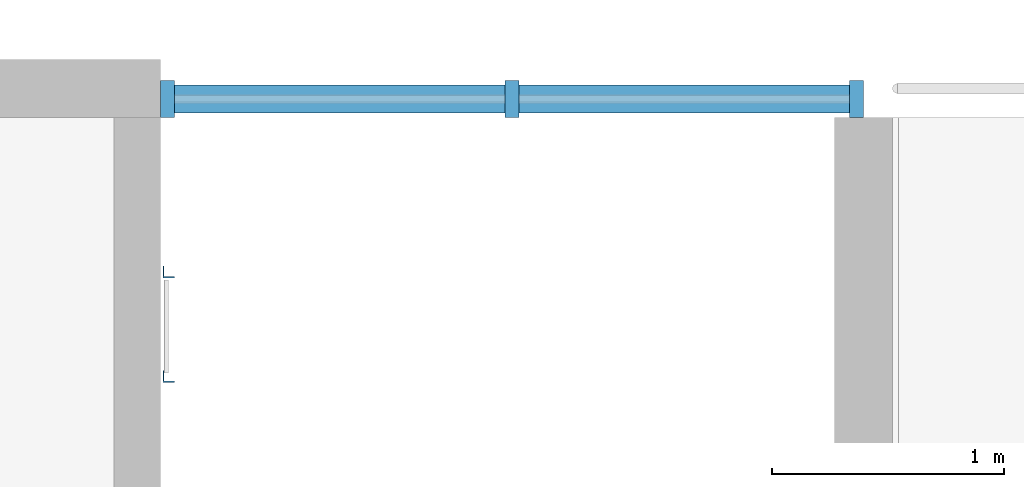
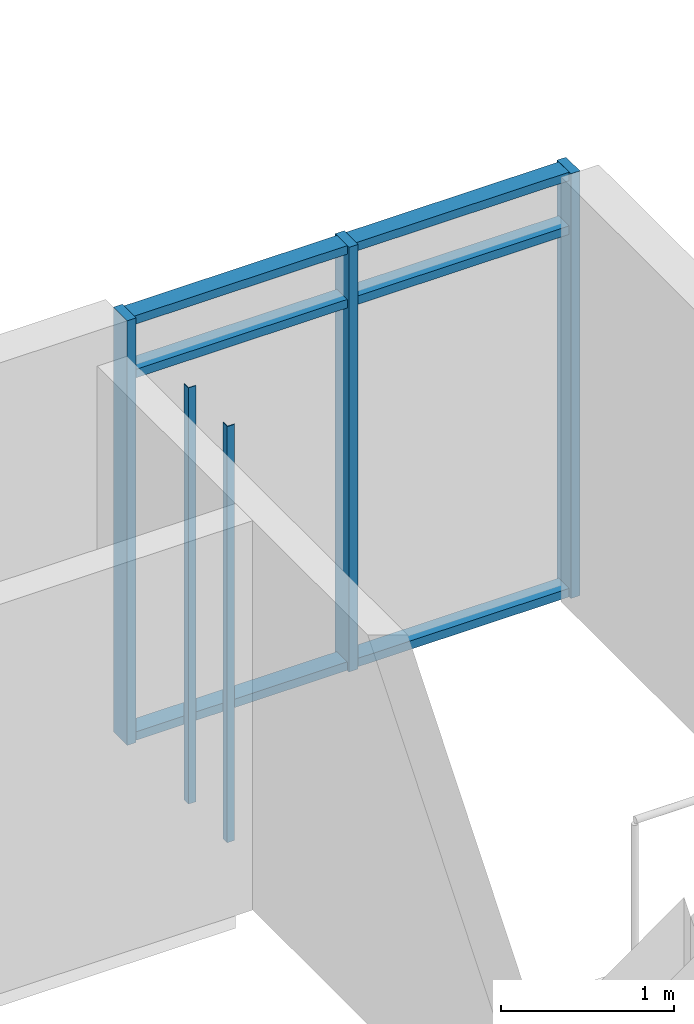
# One storey, part 14 of 87: 11 members, 1 element without a shape of its own.
"""IFC4 building model written with IfcOpenShell, lengths in metres."""

import ifcopenshell
import ifcopenshell.guid

model = None  # the IFC model being written
_history = None  # IfcOwnerHistory: only IFC2X3 demands one
_inside = {}  # id of a spatial element -> (the spatial element, [elements in it])
_under = {}  # id of a project, library or spatial element -> (it, [spatial elements below it])
_declared = {}  # id of a project -> (the project, [libraries it declares])
_typed = {}  # id of a type object -> (the type object, [elements of that type])
_made_of = {}  # id of a material, layer set ... -> (it, [elements and type objects made of it])


def new_model(schema):
    """Start an empty IFC model of exactly this schema.

    Asked for "IFC4X3", IfcOpenShell would pick the latest addendum, in which some entities
    have other attributes; the version numbers below select the first issue.
    IFC2X3 requires an IfcOwnerHistory on every rooted entity: one is made here for all.
    """
    global model, _history
    if schema == "IFC4X3":
        model = ifcopenshell.file(schema_version=(4, 3, 0, 0))
    else:
        model = ifcopenshell.file(schema=schema)
    _inside.clear()
    _under.clear()
    _declared.clear()
    _typed.clear()
    _made_of.clear()
    _history = None
    if model.schema == "IFC2X3":
        org = make("IfcOrganization", Name="unknown")
        user = make(
            "IfcPersonAndOrganization",
            ThePerson=make("IfcPerson", FamilyName="unknown"),
            TheOrganization=org,
        )
        app = make(
            "IfcApplication",
            ApplicationDeveloper=org,
            Version="unknown",
            ApplicationFullName="unknown",
            ApplicationIdentifier="unknown",
        )
        _history = make(
            "IfcOwnerHistory",
            OwningUser=user,
            OwningApplication=app,
            ChangeAction="ADDED",
            CreationDate=0,
        )
    return model


def make(cls, **values):
    """One entity of the class cls with the attributes given. An attribute that is None is left unset."""
    return model.create_entity(
        cls, **{name: value for name, value in values.items() if value is not None}
    )


def rooted(cls, **values):
    """An entity with a GlobalId (a new one), such as an element, a storey or a relation."""
    return make(cls, GlobalId=ifcopenshell.guid.new(), OwnerHistory=_history, **values)


def si_unit(unit_type, name, prefix=None):
    """IfcSIUnit, for example si_unit("LENGTHUNIT", "METRE", prefix="MILLI")."""
    return make("IfcSIUnit", UnitType=unit_type, Prefix=prefix, Name=name)


def assignment(units):
    """IfcUnitAssignment: the units of a project."""
    return None if units is None else make("IfcUnitAssignment", Units=units)


def point(xyz):
    """IfcCartesianPoint."""
    return None if xyz is None else make("IfcCartesianPoint", Coordinates=xyz)


def direction(xyz):
    """IfcDirection."""
    return None if xyz is None else make("IfcDirection", DirectionRatios=xyz)


def frame(location, z_axis=None, x_axis=None):
    """IfcAxis2Placement3D, a coordinate frame: its origin and axes. An axis left out is left unset."""
    return make(
        "IfcAxis2Placement3D",
        Location=point(location),
        Axis=direction(z_axis),
        RefDirection=direction(x_axis),
    )


def frame_2d(location, x_axis=None):
    """IfcAxis2Placement2D, a coordinate frame in the plane: its origin and x axis."""
    return make(
        "IfcAxis2Placement2D", Location=point(location), RefDirection=direction(x_axis)
    )


def origin():
    """The frame at (0, 0, 0) with its axes left unset."""
    return frame((0.0, 0.0, 0.0))


def origin_2d():
    """The frame at (0, 0) in the plane with its x axis left unset."""
    return frame_2d((0.0, 0.0))


def place(relative_to, where):
    """IfcLocalPlacement: puts the frame where relative to a parent placement (None: the world)."""
    return make(
        "IfcLocalPlacement", PlacementRelTo=relative_to, RelativePlacement=where
    )


def context(
    kind, dimensions, precision=None, world=None, true_north=None, identifier=None
):
    """IfcGeometricRepresentationContext, for example the 3D "Model" context."""
    return make(
        "IfcGeometricRepresentationContext",
        ContextIdentifier=identifier,
        ContextType=kind,
        CoordinateSpaceDimension=dimensions,
        Precision=precision,
        WorldCoordinateSystem=world,
        TrueNorth=true_north,
    )


def subcontext(parent, identifier, kind, view, scale=None):
    """IfcGeometricRepresentationSubContext, for example "Body" below "Model"."""
    return make(
        "IfcGeometricRepresentationSubContext",
        ContextIdentifier=identifier,
        ContextType=kind,
        ParentContext=parent,
        TargetScale=scale,
        TargetView=view,
    )


def project(units=None, contexts=None):
    """IfcProject with its units and contexts."""
    return rooted(
        "IfcProject",
        Name="project",
        RepresentationContexts=contexts,
        UnitsInContext=assignment(units),
    )


def spatial(cls, under=None, at=None, **own):
    """A site, building, storey or space (cls), placed at a placement, below another one or the project."""
    s = rooted(cls, ObjectPlacement=at, **own)
    if under is not None:
        _under.setdefault(under.id(), (under, []))[1].append(s)
    return s


def polyline(points):
    """IfcPolyline through the points."""
    return make("IfcPolyline", Points=[point(p) for p in points])


def profile(cls, at=None, kind="AREA", **sizes):
    """A parametric profile (cls). Its sizes go by their IFC names, for example OverallWidth=200.0."""
    return make(cls, ProfileType=kind, Position=at, **sizes)


def rectangle(**sizes):
    """IfcRectangleProfileDef."""
    return profile("IfcRectangleProfileDef", **sizes)


def outline(outer, holes=None, kind="AREA"):
    """IfcArbitraryClosedProfileDef: a profile drawn as a closed curve; with holes, ...WithVoids."""
    if holes is None:
        return make("IfcArbitraryClosedProfileDef", ProfileType=kind, OuterCurve=outer)
    return make(
        "IfcArbitraryProfileDefWithVoids",
        ProfileType=kind,
        OuterCurve=outer,
        InnerCurves=holes,
    )


def extrude(swept, where, along, depth):
    """IfcExtrudedAreaSolid: the profile swept, set in the frame where, extruded along a direction by depth."""
    return make(
        "IfcExtrudedAreaSolid",
        SweptArea=swept,
        Position=where,
        ExtrudedDirection=direction(along),
        Depth=depth,
    )


def shape(context_of_items, identifier, shape_type, items):
    """IfcShapeRepresentation: the items that make up one representation, for example the "Body"."""
    return make(
        "IfcShapeRepresentation",
        ContextOfItems=context_of_items,
        RepresentationIdentifier=identifier,
        RepresentationType=shape_type,
        Items=items,
    )


def material(Name=None, Category=None):
    """IfcMaterial."""
    return make("IfcMaterial", Name=Name, Category=Category)


def material_profile(
    of_material, cross_section, Name=None, Category=None, Priority=None
):
    """IfcMaterialProfile: a cross section and its material."""
    return make(
        "IfcMaterialProfile",
        Name=Name,
        Material=of_material,
        Profile=cross_section,
        Priority=Priority,
        Category=Category,
    )


def profile_set(profiles, Name=None, composite=None):
    """IfcMaterialProfileSet."""
    return make(
        "IfcMaterialProfileSet",
        Name=Name,
        MaterialProfiles=profiles,
        CompositeProfile=composite,
    )


def made_of(thing, what):
    """Note that an element or type object is made of a material, layer set ...; save() writes the relation."""
    if what is not None:
        _made_of.setdefault(what.id(), (what, []))[1].append(thing)
    return thing


def type_object(cls, material=None, **own):
    """A type object (cls), such as IfcWallType, which elements share."""
    return made_of(rooted(cls, **own), material)


def element(
    cls,
    number,
    at=None,
    inside=None,
    cuts=None,
    type_object=None,
    material=None,
    context=None,
    identifier="Body",
    shape_type=None,
    held_by="IfcProductDefinitionShape",
    body=None,
    shapes=None,
    **own,
):
    """One element of the class cls, such as IfcWall. Its Tag is "e" and its number.

    at: its placement. inside: the storey or other place that contains it. cuts: it is an
    opening in that element (IfcRelVoidsElement). A single representation is given by context,
    identifier, shape_type and body (its items); several are given by shapes. held_by: the class
    of the entity that holds the representations. save() writes the other relations.
    """
    e = rooted(cls, Tag="e%d" % number, ObjectPlacement=at, **own)
    if body is not None:
        shapes = [shape(context, identifier, shape_type, body)]
    if shapes is not None:
        e.Representation = make(held_by, Representations=shapes)
    if inside is not None:
        _inside.setdefault(inside.id(), (inside, []))[1].append(e)
    if cuts is not None:
        rooted(
            "IfcRelVoidsElement", RelatingBuildingElement=cuts, RelatedOpeningElement=e
        )
    if type_object is not None:
        _typed.setdefault(type_object.id(), (type_object, []))[1].append(e)
    return made_of(e, material)


def aggregate(whole, parts):
    """IfcRelAggregates: a whole, such as a stair, and the parts it consists of."""
    return rooted("IfcRelAggregates", RelatingObject=whole, RelatedObjects=parts)


def save(model, path):
    """Write the relations noted so far, then the file.

    IfcRelAggregates (storeys below a building ...), IfcRelContainedInSpatialStructure (elements
    in a storey), IfcRelDefinesByType, IfcRelAssociatesMaterial and IfcRelDeclares: one each for
    every whole, place, type object, material and project.
    """
    for whole, parts in _under.values():
        aggregate(whole, parts)
    for where, things in _inside.values():
        rooted(
            "IfcRelContainedInSpatialStructure",
            RelatedElements=things,
            RelatingStructure=where,
        )
    for kind, things in _typed.values():
        rooted("IfcRelDefinesByType", RelatedObjects=things, RelatingType=kind)
    for what, things in _made_of.values():
        rooted("IfcRelAssociatesMaterial", RelatedObjects=things, RelatingMaterial=what)
    for by, libraries in _declared.values():
        rooted("IfcRelDeclares", RelatingContext=by, RelatedDefinitions=libraries)
    model.write(path)


model = new_model("IFC4")

# Units and contexts
model_context = context("Model", 3, precision=1e-05, world=origin(), true_north=direction((0.0, 1.0)))
body_context = subcontext(model_context, "Body", "Model", "MODEL_VIEW")
ifc_project = project(units=[si_unit("LENGTHUNIT", "METRE"), si_unit("AREAUNIT", "SQUARE_METRE"), si_unit("VOLUMEUNIT", "CUBIC_METRE"), si_unit("PLANEANGLEUNIT", "RADIAN"), si_unit("MASSUNIT", "GRAM", prefix="KILO")], contexts=[model_context])

# Site, building, storey
site_placement = place(None, origin())
site = spatial("IfcSite", under=ifc_project, at=site_placement, CompositionType="ELEMENT")
building_placement = place(site_placement, origin())
building = spatial("IfcBuilding", under=site, at=building_placement, Name="Ridgestep Commons", CompositionType="ELEMENT")
storey_placement = place(building_placement, frame((0.0, 0.0, 27.0)))
storey = spatial("IfcBuildingStorey", under=building, at=storey_placement, Name="L09", CompositionType="ELEMENT", Elevation=27.0)

# Members
ifc_material_1 = material(Name="Structural steel S355JR", Category="steel")
ifc_material_profile_1 = material_profile(ifc_material_1, outline(polyline([(-0.014404296875, -0.014404296875), (0.03564453125, -0.014404296875), (0.03564453125, -0.00927734375), (-0.00927734375, -0.00927734375), (-0.00927734375, 0.03564453125), (-0.014404296875, 0.03564453125), (-0.014404296875, -0.014404296875)])), Name="EA 50x50x5")
ifc_profile_set_1 = profile_set([ifc_material_profile_1], Name="Structural steel S355JR")
member_type_1 = type_object("IfcMemberType", Name="Core ladder stile EA 50x50x5", PredefinedType="STRINGER", material=ifc_profile_set_1)
for number, where, z_axis, x_axis, name in (
    (1, (82.199951171875, 75.875, 0.0), (0.0, 0.0, 1.0), (1.0, 0.0, 0.0), "Ladder stile B5C.1"),
    (2, (82.199951171875, 76.324951171875, 0.0), (0.0, 0.0, 1.0), (1.0, 0.0, 0.0), "Ladder stile B5C.2"),
):
    element("IfcMember", number, at=place(storey_placement, frame(where, z_axis=z_axis, x_axis=x_axis)), inside=storey, type_object=member_type_1, Name=name, PredefinedType="STRINGER", context=body_context, shape_type="SweptSolid", body=[
        extrude(outline(polyline([(-0.014404296875, -0.014404296875), (0.03564453125, -0.014404296875), (0.03564453125, -0.00927734375), (-0.00927734375, -0.00927734375), (-0.00927734375, 0.03564453125), (-0.014404296875, 0.03564453125), (-0.014404296875, -0.014404296875)])), origin(), (0.0, 0.0, 1.0), 2.93994140625),
    ])

# Curtain wall, members
ifc_material_2 = material(Name="Aluminium 6063-T6 and glass", Category="aluminium")
curtain_wall_type = type_object("IfcCurtainWallType", Name="Curtain wall stair strip", PredefinedType="NOTDEFINED", material=ifc_material_2)
curtain_wall_placement = place(storey_placement, origin())
curtain_wall = element("IfcCurtainWall", 3, at=curtain_wall_placement, inside=storey, type_object=curtain_wall_type, Name="Curtain wall B5C level 09", PredefinedType="NOTDEFINED")
ifc_material_3 = material(Name="Aluminium 6063-T6", Category="aluminium")
ifc_material_profile_2 = material_profile(ifc_material_3, rectangle(XDim=0.159912109375, YDim=0.06005859375, at=origin_2d()), Name="Mullion 60 x 160")
ifc_profile_set_2 = profile_set([ifc_material_profile_2], Name="Aluminium 6063-T6")
member_type_2 = type_object("IfcMemberType", Name="Mullion 60 x 160", PredefinedType="MULLION", material=ifc_profile_set_2)
member_1_placement = place(storey_placement, frame((82.205078125, 77.080078125, 0.0), z_axis=(0.0, 0.0, 1.0), x_axis=(0.0, 1.0, 0.0)))
member_1 = element("IfcMember", 4, at=member_1_placement, type_object=member_type_2, Name="CW1 mullion 1", PredefinedType="MULLION", context=body_context, shape_type="SweptSolid", body=[
    extrude(rectangle(XDim=0.159912109375, YDim=0.06005859375, at=origin_2d()), origin(), (0.0, 0.0, 1.0), 3.0),
])
member_2_placement = place(storey_placement, frame((83.6875, 77.080078125, 0.0), z_axis=(0.0, 0.0, 1.0), x_axis=(0.0, 1.0, 0.0)))
member_2 = element("IfcMember", 5, at=member_2_placement, type_object=member_type_2, Name="CW1 mullion 2", PredefinedType="MULLION", context=body_context, shape_type="SweptSolid", body=[
    extrude(rectangle(XDim=0.159912109375, YDim=0.06005859375, at=origin_2d()), origin(), (0.0, 0.0, 1.0), 3.0),
])
member_3_placement = place(storey_placement, frame((85.169921875, 77.080078125, 0.0), z_axis=(0.0, 0.0, 1.0), x_axis=(0.0, 1.0, 0.0)))
member_3 = element("IfcMember", 6, at=member_3_placement, type_object=member_type_2, Name="CW1 mullion 3", PredefinedType="MULLION", context=body_context, shape_type="SweptSolid", body=[
    extrude(rectangle(XDim=0.159912109375, YDim=0.06005859375, at=origin_2d()), origin(), (0.0, 0.0, 1.0), 3.0),
])
ifc_material_4 = material(Name="Aluminium 6063-T6", Category="aluminium")
ifc_material_profile_3 = material_profile(ifc_material_4, rectangle(XDim=0.1201171875, YDim=0.06005859375, at=origin_2d()), Name="Transom 60 x 120")
ifc_profile_set_3 = profile_set([ifc_material_profile_3], Name="Aluminium 6063-T6")
member_type_3 = type_object("IfcMemberType", Name="Transom 60 x 120", PredefinedType="USERDEFINED", material=ifc_profile_set_3)
member_4_placement = place(storey_placement, frame((82.235107421875, 77.080078125, 0.030029296875), z_axis=(1.0, 0.0, 0.0), x_axis=(0.0, 1.0, 0.0)))
member_4 = element("IfcMember", 7, at=member_4_placement, type_object=member_type_3, Name="CW1 transom 1.1", ObjectType="TRANSOM", PredefinedType="USERDEFINED", context=body_context, shape_type="SweptSolid", body=[
    extrude(rectangle(XDim=0.1201171875, YDim=0.06005859375, at=origin_2d()), origin(), (0.0, 0.0, 1.0), 1.42236328125),
])
member_5_placement = place(storey_placement, frame((82.235107421875, 77.080078125, 2.590087890625), z_axis=(1.0, 0.0, 0.0), x_axis=(0.0, 1.0, 0.0)))
member_5 = element("IfcMember", 8, at=member_5_placement, type_object=member_type_3, Name="CW1 transom 1.2", ObjectType="TRANSOM", PredefinedType="USERDEFINED", context=body_context, shape_type="SweptSolid", body=[
    extrude(rectangle(XDim=0.1201171875, YDim=0.06005859375, at=origin_2d()), origin(), (0.0, 0.0, 1.0), 1.42236328125),
])
member_6_placement = place(storey_placement, frame((82.235107421875, 77.080078125, 2.969970703125), z_axis=(1.0, 0.0, 0.0), x_axis=(0.0, 1.0, 0.0)))
member_6 = element("IfcMember", 9, at=member_6_placement, type_object=member_type_3, Name="CW1 transom 1.3", ObjectType="TRANSOM", PredefinedType="USERDEFINED", context=body_context, shape_type="SweptSolid", body=[
    extrude(rectangle(XDim=0.1201171875, YDim=0.06005859375, at=origin_2d()), origin(), (0.0, 0.0, 1.0), 1.42236328125),
])
member_7_placement = place(storey_placement, frame((83.717529296875, 77.080078125, 0.030029296875), z_axis=(1.0, 0.0, 0.0), x_axis=(0.0, 1.0, 0.0)))
member_7 = element("IfcMember", 10, at=member_7_placement, type_object=member_type_3, Name="CW1 transom 2.1", ObjectType="TRANSOM", PredefinedType="USERDEFINED", context=body_context, shape_type="SweptSolid", body=[
    extrude(rectangle(XDim=0.1201171875, YDim=0.06005859375, at=origin_2d()), origin(), (0.0, 0.0, 1.0), 1.42236328125),
])
member_8_placement = place(storey_placement, frame((83.717529296875, 77.080078125, 2.590087890625), z_axis=(1.0, 0.0, 0.0), x_axis=(0.0, 1.0, 0.0)))
member_8 = element("IfcMember", 11, at=member_8_placement, type_object=member_type_3, Name="CW1 transom 2.2", ObjectType="TRANSOM", PredefinedType="USERDEFINED", context=body_context, shape_type="SweptSolid", body=[
    extrude(rectangle(XDim=0.1201171875, YDim=0.06005859375, at=origin_2d()), origin(), (0.0, 0.0, 1.0), 1.42236328125),
])
member_9_placement = place(storey_placement, frame((83.717529296875, 77.080078125, 2.969970703125), z_axis=(1.0, 0.0, 0.0), x_axis=(0.0, 1.0, 0.0)))
member_9 = element("IfcMember", 12, at=member_9_placement, type_object=member_type_3, Name="CW1 transom 2.3", ObjectType="TRANSOM", PredefinedType="USERDEFINED", context=body_context, shape_type="SweptSolid", body=[
    extrude(rectangle(XDim=0.1201171875, YDim=0.06005859375, at=origin_2d()), origin(), (0.0, 0.0, 1.0), 1.42236328125),
])
aggregate(curtain_wall, [member_1, member_2, member_3, member_4, member_5, member_6, member_7, member_8, member_9])

save(model, "model.ifc")
